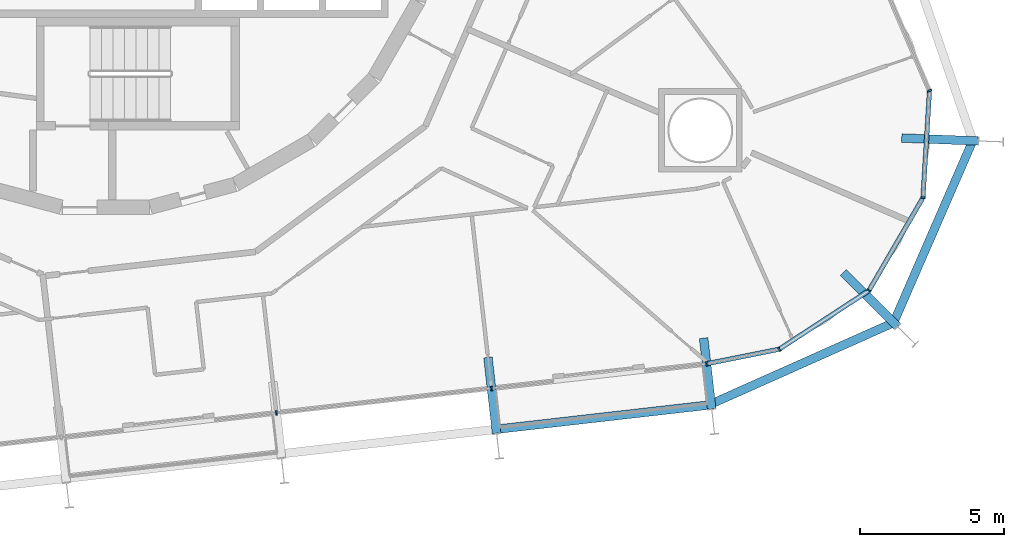
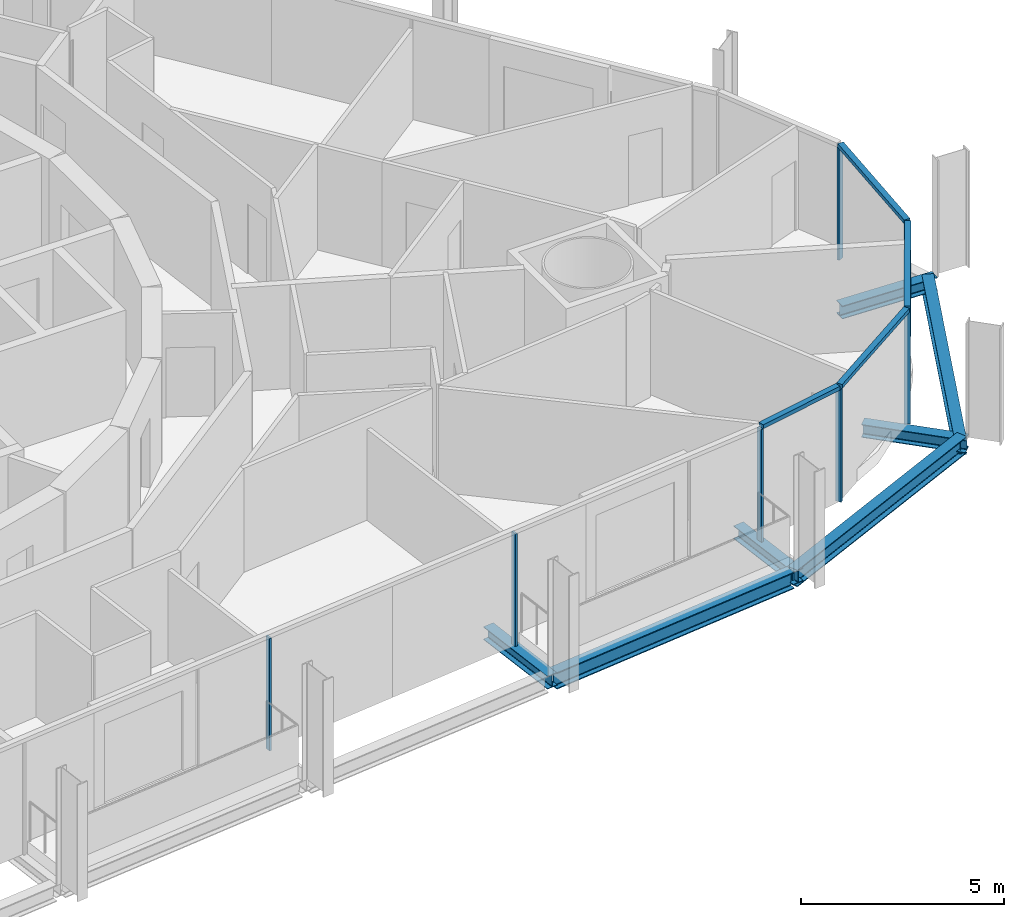
# One storey, part 7 of 24: 11 members, 7 beams, 2 elements without a shape of their own.
"""IFC4 building model written with IfcOpenShell, lengths in metres."""

from ifc_helpers import new_model, si_unit, direction, frame, origin, origin_2d, place, context, subcontext, project, spatial, rectangle, i_section, extrude, material, layer, layer_set, material_profile, profile_set, type_object, element, aggregate, save


model = new_model("IFC4")

# Units and contexts
model_context = context("Model", 3, precision=1e-05, world=origin(), true_north=direction((0.0, 1.0)))
body_context = subcontext(model_context, "Body", "Model", "MODEL_VIEW")
ifc_project = project(units=[si_unit("LENGTHUNIT", "METRE"), si_unit("AREAUNIT", "SQUARE_METRE"), si_unit("VOLUMEUNIT", "CUBIC_METRE"), si_unit("PLANEANGLEUNIT", "RADIAN"), si_unit("MASSUNIT", "GRAM", prefix="KILO")], contexts=[model_context])

# Site, building, storey
site_placement = place(None, origin())
site = spatial("IfcSite", under=ifc_project, at=site_placement, CompositionType="ELEMENT")
building_placement = place(site_placement, origin())
building = spatial("IfcBuilding", under=site, at=building_placement, Name="Spindle Arch Residences", CompositionType="ELEMENT")
storey_placement = place(building_placement, frame((0.0, 0.0, 94.199951171875)))
storey = spatial("IfcBuildingStorey", under=building, at=storey_placement, Name="L22", CompositionType="ELEMENT", Elevation=94.199951171875)

# Curtain wall, members
ifc_material_1 = material(Name="Aluminium bronze unitised frame with tinted glass", Category="aluminium")
ifc_layer_1 = layer(ifc_material_1, 0.159912109375)
ifc_layer_set_1 = layer_set([ifc_layer_1], Name="CW-D corner wall on the fillet arcs")
curtain_wall_type_1 = type_object("IfcCurtainWallType", Name="CW-D corner wall on the fillet arcs", PredefinedType="NOTDEFINED", material=ifc_layer_set_1)
curtain_wall_1_placement = place(storey_placement, origin())
curtain_wall_1 = element("IfcCurtainWall", 1, at=curtain_wall_1_placement, inside=storey, type_object=curtain_wall_type_1, Name="CW-D L22 run 1", PredefinedType="NOTDEFINED")
ifc_material_2 = material(Name="Aluminium bronze anodised mullion", Category="aluminium")
ifc_material_profile_1 = material_profile(ifc_material_2, rectangle(XDim=0.159912109375, YDim=0.06005859375, at=origin_2d()), Name="MU 60x160")
ifc_profile_set_1 = profile_set([ifc_material_profile_1], Name="Aluminium bronze anodised mullion")
member_type_1 = type_object("IfcMemberType", Name="Bronze mullion 60x160", PredefinedType="MULLION", material=ifc_profile_set_1)
member_1_placement = place(storey_placement, frame((20.865234375, -17.085205078125, -0.3798828125), z_axis=(0.0, 0.0, 1.0), x_axis=(-0.196863041416, 0.980430998553, 0.0)))
member_1 = element("IfcMember", 2, at=member_1_placement, type_object=member_type_1, Name="CW-D mullion 00", PredefinedType="MULLION", context=body_context, shape_type="SweptSolid", body=[
    extrude(rectangle(XDim=0.159912109375, YDim=0.06005859375, at=origin_2d()), origin(), (0.0, 0.0, 1.0), 3.3798828125),
])
member_2_placement = place(storey_placement, frame((23.38916015625, -16.57861328125, -0.3798828125), z_axis=(0.0, 0.0, 1.0), x_axis=(-0.547076323657, 0.83708272954, 0.0)))
member_2 = element("IfcMember", 3, at=member_2_placement, type_object=member_type_1, Name="CW-D mullion 01", PredefinedType="MULLION", context=body_context, shape_type="SweptSolid", body=[
    extrude(rectangle(XDim=0.159912109375, YDim=0.06005859375, at=origin_2d()), origin(), (0.0, 0.0, 1.0), 3.3798828125),
])
member_3_placement = place(storey_placement, frame((26.508544921875, -14.539794921875, -0.3798828125), z_axis=(0.0, 0.0, 1.0), x_axis=(-0.864567301682, 0.502517045345, 0.0)))
member_3 = element("IfcMember", 4, at=member_3_placement, type_object=member_type_1, Name="CW-D mullion 02", PredefinedType="MULLION", context=body_context, shape_type="SweptSolid", body=[
    extrude(rectangle(XDim=0.159912109375, YDim=0.06005859375, at=origin_2d()), origin(), (0.0, 0.0, 1.0), 3.3798828125),
])
member_4_placement = place(storey_placement, frame((28.38134765625, -11.317626953125, -0.3798828125), z_axis=(0.0, 0.0, 1.0), x_axis=(-0.998134798631, 0.06104853612, 0.0)))
member_4 = element("IfcMember", 5, at=member_4_placement, type_object=member_type_1, Name="CW-D mullion 03", PredefinedType="MULLION", context=body_context, shape_type="SweptSolid", body=[
    extrude(rectangle(XDim=0.159912109375, YDim=0.06005859375, at=origin_2d()), origin(), (0.0, 0.0, 1.0), 3.3798828125),
])
member_5_placement = place(storey_placement, frame((28.60888671875, -7.597900390625, -0.3798828125), z_axis=(0.0, 0.0, 1.0), x_axis=(-0.919364369298, -0.393407112882, 0.0)))
member_5 = element("IfcMember", 6, at=member_5_placement, type_object=member_type_1, Name="CW-D mullion 04", PredefinedType="MULLION", context=body_context, shape_type="SweptSolid", body=[
    extrude(rectangle(XDim=0.159912109375, YDim=0.06005859375, at=origin_2d()), origin(), (0.0, 0.0, 1.0), 3.3798828125),
])

ifc_material_3 = material(Name="Aluminium bronze unitised frame with tinted glass", Category="aluminium")
ifc_layer_2 = layer(ifc_material_3, 0.159912109375)
ifc_layer_set_2 = layer_set([ifc_layer_2], Name="CW-C typical residential unitised wall")
curtain_wall_type_2 = type_object("IfcCurtainWallType", Name="CW-C typical residential unitised wall", PredefinedType="NOTDEFINED", material=ifc_layer_set_2)
curtain_wall_2_placement = place(storey_placement, origin())
curtain_wall_2 = element("IfcCurtainWall", 7, at=curtain_wall_2_placement, inside=storey, type_object=curtain_wall_type_2, Name="CW-C L22 run 6", PredefinedType="NOTDEFINED")
member_6_placement = place(storey_placement, frame((5.92431640625, -18.78759765625, -0.3798828125), z_axis=(0.0, 0.0, 1.0), x_axis=(-0.113203213768, 0.993571855677, 0.0)))
member_6 = element("IfcMember", 8, at=member_6_placement, type_object=member_type_1, Name="CW-C mullion 00", PredefinedType="MULLION", context=body_context, shape_type="SweptSolid", body=[
    extrude(rectangle(XDim=0.159912109375, YDim=0.06005859375, at=origin_2d()), origin(), (0.0, 0.0, 1.0), 3.3798828125),
])
member_7_placement = place(storey_placement, frame((13.394775390625, -17.9365234375, -0.3798828125), z_axis=(0.0, 0.0, 1.0), x_axis=(-0.113203213768, 0.993571855677, 0.0)))
member_7 = element("IfcMember", 9, at=member_7_placement, type_object=member_type_1, Name="CW-C mullion 01", PredefinedType="MULLION", context=body_context, shape_type="SweptSolid", body=[
    extrude(rectangle(XDim=0.159912109375, YDim=0.06005859375, at=origin_2d()), origin(), (0.0, 0.0, 1.0), 3.3798828125),
])
aggregate(curtain_wall_2, [member_6, member_7])

# Member
ifc_material_4 = material(Name="Aluminium bronze anodised transom", Category="aluminium")
ifc_material_profile_2 = material_profile(ifc_material_4, rectangle(XDim=0.159912109375, YDim=0.1201171875, at=origin_2d()), Name="TR 120x160")
ifc_profile_set_2 = profile_set([ifc_material_profile_2], Name="Aluminium bronze anodised transom")
member_type_2 = type_object("IfcMemberType", Name="Bronze transom 120x160", PredefinedType="USERDEFINED", material=ifc_profile_set_2)
member_8_placement = place(storey_placement, frame((20.894775390625, -17.079345703125, 3.06005859375), z_axis=(0.980434738394, 0.196844415088, 0.0), x_axis=(-0.196844415088, 0.980434738394, 0.0)))
member_8 = element("IfcMember", 10, at=member_8_placement, type_object=member_type_2, Name="CW-D transom 00", ObjectType="TRANSOM", PredefinedType="USERDEFINED", context=body_context, shape_type="SweptSolid", body=[
    extrude(rectangle(XDim=0.159912109375, YDim=0.1201171875, at=origin_2d()), origin(), (0.0, 0.0, 1.0), 2.513916015625),
])

member_9_placement = place(storey_placement, frame((23.4140625, -16.562255859375, 3.06005859375), z_axis=(0.837085709997, 0.547071763226, 0.0), x_axis=(-0.547071763226, 0.837085709997, 0.0)))
member_9 = element("IfcMember", 11, at=member_9_placement, type_object=member_type_2, Name="CW-D transom 01", ObjectType="TRANSOM", PredefinedType="USERDEFINED", context=body_context, shape_type="SweptSolid", body=[
    extrude(rectangle(XDim=0.159912109375, YDim=0.1201171875, at=origin_2d()), origin(), (0.0, 0.0, 1.0), 3.6669921875),
])

member_10_placement = place(storey_placement, frame((26.523681640625, -14.513916015625, 3.06005859375), z_axis=(0.502549865263, 0.864548224753, 0.0), x_axis=(-0.864548224753, 0.502549865263, 0.0)))
member_10 = element("IfcMember", 12, at=member_10_placement, type_object=member_type_2, Name="CW-D transom 02", ObjectType="TRANSOM", PredefinedType="USERDEFINED", context=body_context, shape_type="SweptSolid", body=[
    extrude(rectangle(XDim=0.159912109375, YDim=0.1201171875, at=origin_2d()), origin(), (0.0, 0.0, 1.0), 3.666748046875),
])

member_11_placement = place(storey_placement, frame((28.38330078125, -11.287841796875, 3.06005859375), z_axis=(0.061055913319, 0.998134347395, 0.0), x_axis=(-0.998134347395, 0.061055913319, 0.0)))
member_11 = element("IfcMember", 13, at=member_11_placement, type_object=member_type_2, Name="CW-D transom 03", ObjectType="TRANSOM", PredefinedType="USERDEFINED", context=body_context, shape_type="SweptSolid", body=[
    extrude(rectangle(XDim=0.159912109375, YDim=0.1201171875, at=origin_2d()), origin(), (0.0, 0.0, 1.0), 3.666748046875),
])

aggregate(curtain_wall_1, [member_1, member_8, member_2, member_9, member_3, member_10, member_4, member_11, member_5])

# Beams
ifc_material_5 = material(Name="Steel S460ML, intumescent coating R 120", Category="steel")
ifc_material_profile_3 = material_profile(ifc_material_5, i_section(OverallWidth=0.300048828125, OverallDepth=0.5, WebThickness=0.014404296875, FlangeThickness=0.028076171875, FilletRadius=0.027099609375, at=origin_2d()), Name="HEB 500")
ifc_profile_set_3 = profile_set([ifc_material_profile_3], Name="Steel S460ML, intumescent coating R 120")
beam_type_1 = type_object("IfcBeamType", Name="Exoskeleton edge beam HEB 500", PredefinedType="BEAM", material=ifc_profile_set_3)
beam_1_placement = place(storey_placement, frame((13.686279296875, -19.345703125, -0.6298828125), z_axis=(0.993567208644, 0.113243992807, 0.0), x_axis=(-0.113243992807, 0.993567208644, 0.0)))
element("IfcBeam", 14, at=beam_1_placement, inside=storey, type_object=beam_type_1, Name="Exoskeleton edge beam 2", PredefinedType="BEAM", context=body_context, shape_type="SweptSolid", body=[
    extrude(i_section(OverallWidth=0.300048828125, OverallDepth=0.5, WebThickness=0.014404296875, FlangeThickness=0.028076171875, FilletRadius=0.027099609375, at=origin_2d()), origin(), (0.0, 0.0, 1.0), 7.2587890625),
])
beam_2_placement = place(storey_placement, frame((20.956787109375, -18.510986328125, -0.6298828125), z_axis=(0.913358271861, 0.407156809133, 0.0), x_axis=(-0.407156809133, 0.913358271861, 0.0)))
element("IfcBeam", 15, at=beam_2_placement, inside=storey, type_object=beam_type_1, Name="Exoskeleton edge beam 3", PredefinedType="BEAM", context=body_context, shape_type="SweptSolid", body=[
    extrude(i_section(OverallWidth=0.300048828125, OverallDepth=0.5, WebThickness=0.014404296875, FlangeThickness=0.028076171875, FilletRadius=0.027099609375, at=origin_2d()), origin(), (0.0, 0.0, 1.0), 7.09423828125),
])
beam_3_placement = place(storey_placement, frame((27.324462890625, -15.74462890625, -0.6298828125), z_axis=(0.398753826639, 0.917058005658, 0.0), x_axis=(-0.917058005658, 0.398753826639, 0.0)))
element("IfcBeam", 16, at=beam_3_placement, inside=storey, type_object=beam_type_1, Name="Exoskeleton edge beam 4", PredefinedType="BEAM", context=body_context, shape_type="SweptSolid", body=[
    extrude(i_section(OverallWidth=0.300048828125, OverallDepth=0.5, WebThickness=0.014404296875, FlangeThickness=0.028076171875, FilletRadius=0.027099609375, at=origin_2d()), origin(), (0.0, 0.0, 1.0), 7.086181640625),
])
ifc_material_6 = material(Name="Steel S460ML, intumescent coating R 120", Category="steel")
ifc_material_profile_4 = material_profile(ifc_material_6, i_section(OverallWidth=0.300048828125, OverallDepth=0.389892578125, WebThickness=0.010986328125, FlangeThickness=0.01904296875, FilletRadius=0.027099609375, at=origin_2d()), Name="HEA 400")
ifc_profile_set_4 = profile_set([ifc_material_profile_4], Name="Steel S460ML, intumescent coating R 120")
beam_type_2 = type_object("IfcBeamType", Name="Floor outrigger HEA 400", PredefinedType="BEAM", material=ifc_profile_set_4)
beam_4_placement = place(storey_placement, frame((13.572509765625, -19.496337890625, -0.574951171875), z_axis=(-0.113130863078, 0.993580096328, 0.0), x_axis=(-0.993580096328, -0.113130863078, 0.0)))
element("IfcBeam", 17, at=beam_4_placement, inside=storey, type_object=beam_type_2, Name="Floor outrigger 2", PredefinedType="BEAM", context=body_context, shape_type="SweptSolid", body=[
    extrude(i_section(OverallWidth=0.300048828125, OverallDepth=0.389892578125, WebThickness=0.010986328125, FlangeThickness=0.01904296875, FilletRadius=0.027099609375, at=origin_2d()), origin(), (0.0, 0.0, 1.0), 2.650146484375),
])
beam_5_placement = place(storey_placement, frame((21.043212890625, -18.645263671875, -0.574951171875), z_axis=(-0.113326452293, 0.993557806678, 0.0), x_axis=(-0.993557806678, -0.113326452293, 0.0)))
element("IfcBeam", 18, at=beam_5_placement, inside=storey, type_object=beam_type_2, Name="Floor outrigger 3", PredefinedType="BEAM", context=body_context, shape_type="SweptSolid", body=[
    extrude(i_section(OverallWidth=0.300048828125, OverallDepth=0.389892578125, WebThickness=0.010986328125, FlangeThickness=0.01904296875, FilletRadius=0.027099609375, at=origin_2d()), origin(), (0.0, 0.0, 1.0), 2.470947265625),
])
beam_6_placement = place(storey_placement, frame((27.49169921875, -15.78076171875, -0.574951171875), z_axis=(-0.709222613683, 0.704984598584, 0.0), x_axis=(-0.704984598584, -0.709222613683, 0.0)))
element("IfcBeam", 19, at=beam_6_placement, inside=storey, type_object=beam_type_2, Name="Floor outrigger 4", PredefinedType="BEAM", context=body_context, shape_type="SweptSolid", body=[
    extrude(i_section(OverallWidth=0.300048828125, OverallDepth=0.389892578125, WebThickness=0.010986328125, FlangeThickness=0.01904296875, FilletRadius=0.027099609375, at=origin_2d()), origin(), (0.0, 0.0, 1.0), 2.64990234375),
])
beam_7_placement = place(storey_placement, frame((30.290771484375, -9.34375, -0.574951171875), z_axis=(-0.999282920946, 0.037863490413, 0.0), x_axis=(-0.037863490413, -0.999282920946, 0.0)))
element("IfcBeam", 20, at=beam_7_placement, inside=storey, type_object=beam_type_2, Name="Floor outrigger 5", PredefinedType="BEAM", context=body_context, shape_type="SweptSolid", body=[
    extrude(i_section(OverallWidth=0.300048828125, OverallDepth=0.389892578125, WebThickness=0.010986328125, FlangeThickness=0.01904296875, FilletRadius=0.027099609375, at=origin_2d()), origin(), (0.0, 0.0, 1.0), 2.650146484375),
])

save(model, "model.ifc")
